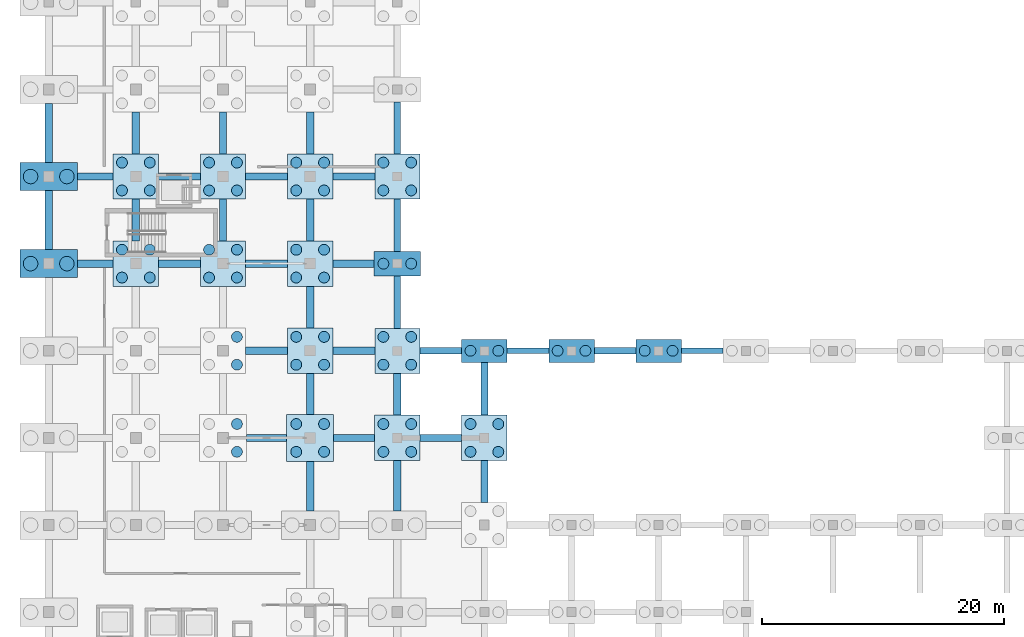
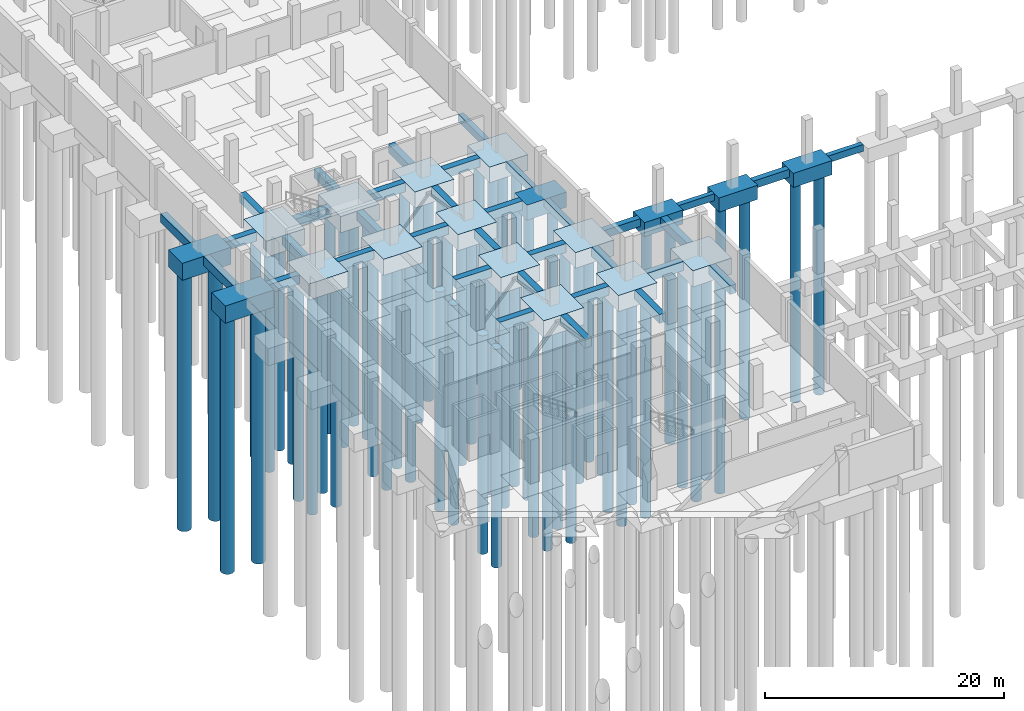
# One storey, part 3 of 36: 64 piles, 53 footings.
"""IFC4 building model written with IfcOpenShell, lengths in metres."""

from ifc_helpers import new_model, si_unit, direction, frame, origin, origin_2d, place, context, subcontext, project, spatial, rectangle, circle, extrude, material, material_profile, profile_set, type_object, element, save


model = new_model("IFC4")

# Units and contexts
model_context = context("Model", 3, precision=1e-05, world=origin(), true_north=direction((0.0, 1.0)))
body_context = subcontext(model_context, "Body", "Model", "MODEL_VIEW")
ifc_project = project(units=[si_unit("LENGTHUNIT", "METRE"), si_unit("AREAUNIT", "SQUARE_METRE"), si_unit("VOLUMEUNIT", "CUBIC_METRE"), si_unit("PLANEANGLEUNIT", "RADIAN"), si_unit("MASSUNIT", "GRAM", prefix="KILO")], contexts=[model_context])

# Site, building, storey
site_placement = place(None, origin())
site = spatial("IfcSite", under=ifc_project, at=site_placement, CompositionType="ELEMENT")
building_placement = place(site_placement, origin())
building = spatial("IfcBuilding", under=site, at=building_placement, Name="Kalmorath City Hall", CompositionType="ELEMENT")
storey_placement = place(building_placement, frame((0.0, 0.0, -4.5)))
storey = spatial("IfcBuildingStorey", under=building, at=storey_placement, Name="B1", CompositionType="ELEMENT", Elevation=-4.5)

# Piles
ifc_material_1 = material(Name="Concrete C40/50", Category="concrete")
ifc_material_profile_1 = material_profile(ifc_material_1, circle(Radius=0.60009765625, at=origin_2d()), Name="PILE-D1200")
ifc_profile_set_1 = profile_set([ifc_material_profile_1], Name="Concrete C40/50")
pile_type_1 = type_object("IfcPileType", Name="Bored concrete pile D1200", PredefinedType="BORED", material=ifc_profile_set_1)
for number, where, z_axis, x_axis, name in (
    (1, (-1.5, 50.39990234375, -1.64990234375), (0.0, 0.0, -1.0), (1.0, 0.0, 0.0), "Bored pile PL-1200 1.8.1"),
    (2, (1.5, 50.39990234375, -1.64990234375), (0.0, 0.0, -1.0), (1.0, 0.0, 0.0), "Bored pile PL-1200 1.8.2"),
    (3, (-1.5, 57.60009765625, -1.64990234375), (0.0, 0.0, -1.0), (1.0, 0.0, 0.0), "Bored pile PL-1200 1.9.1"),
    (4, (1.5, 57.60009765625, -1.64990234375), (0.0, 0.0, -1.0), (1.0, 0.0, 0.0), "Bored pile PL-1200 1.9.2"),
):
    element("IfcPile", number, at=place(storey_placement, frame(where, z_axis=z_axis, x_axis=x_axis)), inside=storey, type_object=pile_type_1, Name=name, PredefinedType="BORED", context=body_context, shape_type="SweptSolid", body=[
        extrude(circle(Radius=0.60009765625, at=origin_2d()), origin(), (0.0, 0.0, 1.0), 26.35009765625),
    ])
ifc_material_2 = material(Name="Concrete C40/50", Category="concrete")
ifc_material_profile_2 = material_profile(ifc_material_2, circle(Radius=0.449951171875, at=origin_2d()), Name="PILE-D900")
ifc_profile_set_2 = profile_set([ifc_material_profile_2], Name="Concrete C40/50")
pile_type_2 = type_object("IfcPileType", Name="Bored concrete pile D900", PredefinedType="BORED", material=ifc_profile_set_2)
for number, where, z_axis, x_axis, name in (
    (5, (6.050048828125, 49.25, -1.550048828125), (0.0, 0.0, -1.0), (1.0, 0.0, 0.0), "Bored pile PL-900 2.8.1"),
    (6, (8.35009765625, 49.25, -1.550048828125), (0.0, 0.0, -1.0), (1.0, 0.0, 0.0), "Bored pile PL-900 2.8.2"),
    (7, (6.050048828125, 51.550048828125, -1.550048828125), (0.0, 0.0, -1.0), (1.0, 0.0, 0.0), "Bored pile PL-900 2.8.3"),
    (8, (8.35009765625, 51.550048828125, -1.550048828125), (0.0, 0.0, -1.0), (1.0, 0.0, 0.0), "Bored pile PL-900 2.8.4"),
    (9, (6.050048828125, 56.449951171875, -1.550048828125), (0.0, 0.0, -1.0), (1.0, 0.0, 0.0), "Bored pile PL-900 2.9.1"),
    (10, (8.35009765625, 56.449951171875, -1.550048828125), (0.0, 0.0, -1.0), (1.0, 0.0, 0.0), "Bored pile PL-900 2.9.2"),
    (11, (6.050048828125, 58.75, -1.550048828125), (0.0, 0.0, -1.0), (1.0, 0.0, 0.0), "Bored pile PL-900 2.9.3"),
    (12, (8.35009765625, 58.75, -1.550048828125), (0.0, 0.0, -1.0), (1.0, 0.0, 0.0), "Bored pile PL-900 2.9.4"),
):
    element("IfcPile", number, at=place(storey_placement, frame(where, z_axis=z_axis, x_axis=x_axis)), inside=storey, type_object=pile_type_2, Name=name, PredefinedType="BORED", context=body_context, shape_type="SweptSolid", body=[
        extrude(circle(Radius=0.449951171875, at=origin_2d()), origin(), (0.0, 0.0, 1.0), 22.449951171875),
    ])
for number, where, z_axis, x_axis, name in (
    (13, (15.550048828125, 34.85009765625, -1.64990234375), (0.0, 0.0, -1.0), (1.0, 0.0, 0.0), "Bored pile PL-900 3.6.2"),
    (14, (15.550048828125, 37.14990234375, -1.64990234375), (0.0, 0.0, -1.0), (1.0, 0.0, 0.0), "Bored pile PL-900 3.6.4"),
):
    element("IfcPile", number, at=place(storey_placement, frame(where, z_axis=z_axis, x_axis=x_axis)), inside=storey, type_object=pile_type_2, Name=name, PredefinedType="BORED", context=body_context, shape_type="SweptSolid", body=[
        extrude(circle(Radius=0.449951171875, at=origin_2d()), origin(), (0.0, 0.0, 1.0), 22.35009765625),
    ])
for number, where, z_axis, x_axis, name in (
    (15, (15.550048828125, 42.050048828125, -1.550048828125), (0.0, 0.0, -1.0), (1.0, 0.0, 0.0), "Bored pile PL-900 3.7.2"),
    (16, (15.550048828125, 44.35009765625, -1.550048828125), (0.0, 0.0, -1.0), (1.0, 0.0, 0.0), "Bored pile PL-900 3.7.4"),
    (17, (13.25, 49.25, -1.550048828125), (0.0, 0.0, -1.0), (1.0, 0.0, 0.0), "Bored pile PL-900 3.8.1"),
    (18, (15.550048828125, 49.25, -1.550048828125), (0.0, 0.0, -1.0), (1.0, 0.0, 0.0), "Bored pile PL-900 3.8.2"),
    (19, (13.25, 51.550048828125, -1.550048828125), (0.0, 0.0, -1.0), (1.0, 0.0, 0.0), "Bored pile PL-900 3.8.3"),
    (20, (15.550048828125, 51.550048828125, -1.550048828125), (0.0, 0.0, -1.0), (1.0, 0.0, 0.0), "Bored pile PL-900 3.8.4"),
    (21, (13.25, 56.449951171875, -1.550048828125), (0.0, 0.0, -1.0), (1.0, 0.0, 0.0), "Bored pile PL-900 3.9.1"),
    (22, (15.550048828125, 56.449951171875, -1.550048828125), (0.0, 0.0, -1.0), (1.0, 0.0, 0.0), "Bored pile PL-900 3.9.2"),
    (23, (13.25, 58.75, -1.550048828125), (0.0, 0.0, -1.0), (1.0, 0.0, 0.0), "Bored pile PL-900 3.9.3"),
    (24, (15.550048828125, 58.75, -1.550048828125), (0.0, 0.0, -1.0), (1.0, 0.0, 0.0), "Bored pile PL-900 3.9.4"),
):
    element("IfcPile", number, at=place(storey_placement, frame(where, z_axis=z_axis, x_axis=x_axis)), inside=storey, type_object=pile_type_2, Name=name, PredefinedType="BORED", context=body_context, shape_type="SweptSolid", body=[
        extrude(circle(Radius=0.449951171875, at=origin_2d()), origin(), (0.0, 0.0, 1.0), 22.449951171875),
    ])
for number, where, z_axis, x_axis, name in (
    (25, (20.449951171875, 34.85009765625, -1.64990234375), (0.0, 0.0, -1.0), (1.0, 0.0, 0.0), "Bored pile PL-900 4.6.1"),
    (26, (22.75, 34.85009765625, -1.64990234375), (0.0, 0.0, -1.0), (1.0, 0.0, 0.0), "Bored pile PL-900 4.6.2"),
    (27, (20.449951171875, 37.14990234375, -1.64990234375), (0.0, 0.0, -1.0), (1.0, 0.0, 0.0), "Bored pile PL-900 4.6.3"),
    (28, (22.75, 37.14990234375, -1.64990234375), (0.0, 0.0, -1.0), (1.0, 0.0, 0.0), "Bored pile PL-900 4.6.4"),
):
    element("IfcPile", number, at=place(storey_placement, frame(where, z_axis=z_axis, x_axis=x_axis)), inside=storey, type_object=pile_type_2, Name=name, PredefinedType="BORED", context=body_context, shape_type="SweptSolid", body=[
        extrude(circle(Radius=0.449951171875, at=origin_2d()), origin(), (0.0, 0.0, 1.0), 22.35009765625),
    ])
for number, where, z_axis, x_axis, name in (
    (29, (20.449951171875, 42.050048828125, -1.550048828125), (0.0, 0.0, -1.0), (1.0, 0.0, 0.0), "Bored pile PL-900 4.7.1"),
    (30, (22.75, 42.050048828125, -1.550048828125), (0.0, 0.0, -1.0), (1.0, 0.0, 0.0), "Bored pile PL-900 4.7.2"),
    (31, (20.449951171875, 44.35009765625, -1.550048828125), (0.0, 0.0, -1.0), (1.0, 0.0, 0.0), "Bored pile PL-900 4.7.3"),
    (32, (22.75, 44.35009765625, -1.550048828125), (0.0, 0.0, -1.0), (1.0, 0.0, 0.0), "Bored pile PL-900 4.7.4"),
    (33, (20.449951171875, 49.25, -1.550048828125), (0.0, 0.0, -1.0), (1.0, 0.0, 0.0), "Bored pile PL-900 4.8.1"),
    (34, (22.75, 49.25, -1.550048828125), (0.0, 0.0, -1.0), (1.0, 0.0, 0.0), "Bored pile PL-900 4.8.2"),
    (35, (20.449951171875, 51.550048828125, -1.550048828125), (0.0, 0.0, -1.0), (1.0, 0.0, 0.0), "Bored pile PL-900 4.8.3"),
    (36, (22.75, 51.550048828125, -1.550048828125), (0.0, 0.0, -1.0), (1.0, 0.0, 0.0), "Bored pile PL-900 4.8.4"),
    (37, (20.449951171875, 56.449951171875, -1.550048828125), (0.0, 0.0, -1.0), (1.0, 0.0, 0.0), "Bored pile PL-900 4.9.1"),
    (38, (22.75, 56.449951171875, -1.550048828125), (0.0, 0.0, -1.0), (1.0, 0.0, 0.0), "Bored pile PL-900 4.9.2"),
    (39, (20.449951171875, 58.75, -1.550048828125), (0.0, 0.0, -1.0), (1.0, 0.0, 0.0), "Bored pile PL-900 4.9.3"),
    (40, (22.75, 58.75, -1.550048828125), (0.0, 0.0, -1.0), (1.0, 0.0, 0.0), "Bored pile PL-900 4.9.4"),
    (41, (27.64990234375, 34.85009765625, -1.550048828125), (0.0, 0.0, -1.0), (1.0, 0.0, 0.0), "Bored pile PL-900 5.6.1"),
    (42, (29.949951171875, 34.85009765625, -1.550048828125), (0.0, 0.0, -1.0), (1.0, 0.0, 0.0), "Bored pile PL-900 5.6.2"),
    (43, (27.64990234375, 37.14990234375, -1.550048828125), (0.0, 0.0, -1.0), (1.0, 0.0, 0.0), "Bored pile PL-900 5.6.3"),
    (44, (29.949951171875, 37.14990234375, -1.550048828125), (0.0, 0.0, -1.0), (1.0, 0.0, 0.0), "Bored pile PL-900 5.6.4"),
):
    element("IfcPile", number, at=place(storey_placement, frame(where, z_axis=z_axis, x_axis=x_axis)), inside=storey, type_object=pile_type_2, Name=name, PredefinedType="BORED", context=body_context, shape_type="SweptSolid", body=[
        extrude(circle(Radius=0.449951171875, at=origin_2d()), origin(), (0.0, 0.0, 1.0), 22.449951171875),
    ])
for number, where, z_axis, x_axis, name in (
    (45, (27.64990234375, 42.050048828125, -1.5), (0.0, 0.0, -1.0), (1.0, 0.0, 0.0), "Bored pile PL-900 5.7.1"),
    (46, (29.949951171875, 42.050048828125, -1.5), (0.0, 0.0, -1.0), (1.0, 0.0, 0.0), "Bored pile PL-900 5.7.2"),
    (47, (27.64990234375, 44.35009765625, -1.5), (0.0, 0.0, -1.0), (1.0, 0.0, 0.0), "Bored pile PL-900 5.7.3"),
    (48, (29.949951171875, 44.35009765625, -1.5), (0.0, 0.0, -1.0), (1.0, 0.0, 0.0), "Bored pile PL-900 5.7.4"),
):
    element("IfcPile", number, at=place(storey_placement, frame(where, z_axis=z_axis, x_axis=x_axis)), inside=storey, type_object=pile_type_2, Name=name, PredefinedType="BORED", context=body_context, shape_type="SweptSolid", body=[
        extrude(circle(Radius=0.449951171875, at=origin_2d()), origin(), (0.0, 0.0, 1.0), 22.5),
    ])
for number, where, z_axis, x_axis, name in (
    (49, (27.64990234375, 50.39990234375, -1.449951171875), (0.0, 0.0, -1.0), (1.0, 0.0, 0.0), "Bored pile PL-900 5.8.1"),
    (50, (29.949951171875, 50.39990234375, -1.449951171875), (0.0, 0.0, -1.0), (1.0, 0.0, 0.0), "Bored pile PL-900 5.8.2"),
):
    element("IfcPile", number, at=place(storey_placement, frame(where, z_axis=z_axis, x_axis=x_axis)), inside=storey, type_object=pile_type_2, Name=name, PredefinedType="BORED", context=body_context, shape_type="SweptSolid", body=[
        extrude(circle(Radius=0.449951171875, at=origin_2d()), origin(), (0.0, 0.0, 1.0), 22.550048828125),
    ])
for number, where, z_axis, x_axis, name in (
    (51, (27.64990234375, 56.449951171875, -1.5), (0.0, 0.0, -1.0), (1.0, 0.0, 0.0), "Bored pile PL-900 5.9.1"),
    (52, (29.949951171875, 56.449951171875, -1.5), (0.0, 0.0, -1.0), (1.0, 0.0, 0.0), "Bored pile PL-900 5.9.2"),
    (53, (27.64990234375, 58.75, -1.5), (0.0, 0.0, -1.0), (1.0, 0.0, 0.0), "Bored pile PL-900 5.9.3"),
    (54, (29.949951171875, 58.75, -1.5), (0.0, 0.0, -1.0), (1.0, 0.0, 0.0), "Bored pile PL-900 5.9.4"),
):
    element("IfcPile", number, at=place(storey_placement, frame(where, z_axis=z_axis, x_axis=x_axis)), inside=storey, type_object=pile_type_2, Name=name, PredefinedType="BORED", context=body_context, shape_type="SweptSolid", body=[
        extrude(circle(Radius=0.449951171875, at=origin_2d()), origin(), (0.0, 0.0, 1.0), 22.5),
    ])
for number, where, z_axis, x_axis, name in (
    (55, (34.85009765625, 34.85009765625, -1.550048828125), (0.0, 0.0, -1.0), (1.0, 0.0, 0.0), "Bored pile PL-900 6.6.1"),
    (56, (37.14990234375, 34.85009765625, -1.550048828125), (0.0, 0.0, -1.0), (1.0, 0.0, 0.0), "Bored pile PL-900 6.6.2"),
    (57, (34.85009765625, 37.14990234375, -1.550048828125), (0.0, 0.0, -1.0), (1.0, 0.0, 0.0), "Bored pile PL-900 6.6.3"),
    (58, (37.14990234375, 37.14990234375, -1.550048828125), (0.0, 0.0, -1.0), (1.0, 0.0, 0.0), "Bored pile PL-900 6.6.4"),
):
    element("IfcPile", number, at=place(storey_placement, frame(where, z_axis=z_axis, x_axis=x_axis)), inside=storey, type_object=pile_type_2, Name=name, PredefinedType="BORED", context=body_context, shape_type="SweptSolid", body=[
        extrude(circle(Radius=0.449951171875, at=origin_2d()), origin(), (0.0, 0.0, 1.0), 22.449951171875),
    ])
for number, where, z_axis, x_axis, name in (
    (59, (34.85009765625, 43.199951171875, -1.35009765625), (0.0, 0.0, -1.0), (1.0, 0.0, 0.0), "Bored pile PL-900 6.7.1"),
    (60, (37.14990234375, 43.199951171875, -1.35009765625), (0.0, 0.0, -1.0), (1.0, 0.0, 0.0), "Bored pile PL-900 6.7.2"),
    (61, (42.050048828125, 43.199951171875, -1.35009765625), (0.0, 0.0, -1.0), (1.0, 0.0, 0.0), "Bored pile PL-900 7.7.1"),
    (62, (44.35009765625, 43.199951171875, -1.35009765625), (0.0, 0.0, -1.0), (1.0, 0.0, 0.0), "Bored pile PL-900 7.7.2"),
    (63, (49.25, 43.199951171875, -1.35009765625), (0.0, 0.0, -1.0), (1.0, 0.0, 0.0), "Bored pile PL-900 8.7.1"),
    (64, (51.550048828125, 43.199951171875, -1.35009765625), (0.0, 0.0, -1.0), (1.0, 0.0, 0.0), "Bored pile PL-900 8.7.2"),
):
    element("IfcPile", number, at=place(storey_placement, frame(where, z_axis=z_axis, x_axis=x_axis)), inside=storey, type_object=pile_type_2, Name=name, PredefinedType="BORED", context=body_context, shape_type="SweptSolid", body=[
        extrude(circle(Radius=0.449951171875, at=origin_2d()), origin(), (0.0, 0.0, 1.0), 22.64990234375),
    ])

# Footings
ifc_material_3 = material(Name="Concrete C40/50", Category="concrete")
ifc_material_profile_3 = material_profile(ifc_material_3, rectangle(XDim=0.449951171875, YDim=0.699951171875, at=origin_2d()), Name="RC-BM-450X700")
ifc_profile_set_3 = profile_set([ifc_material_profile_3], Name="Concrete C40/50")
footing_type_1 = type_object("IfcFootingType", Name="Concrete ground tie beam 450x700", PredefinedType="FOOTING_BEAM", material=ifc_profile_set_3)
footing_1_placement = place(storey_placement, frame((37.8798828125, 43.199951171875, -0.35009765625), z_axis=(1.0, 0.0, 0.0), x_axis=(0.0, 1.0, 0.0)))
element("IfcFooting", 65, at=footing_1_placement, inside=storey, type_object=footing_type_1, Name="Ground tie beam GB4 X6-7", PredefinedType="FOOTING_BEAM", context=body_context, shape_type="SweptSolid", body=[
    extrude(rectangle(XDim=0.449951171875, YDim=0.699951171875, at=origin_2d()), origin(), (0.0, 0.0, 1.0), 3.440185546875),
])
footing_2_placement = place(storey_placement, frame((52.280029296875, 43.199951171875, -0.35009765625), z_axis=(1.0, 0.0, 0.0), x_axis=(0.0, 1.0, 0.0)))
element("IfcFooting", 66, at=footing_2_placement, inside=storey, type_object=footing_type_1, Name="Ground tie beam GB4 X8-7", PredefinedType="FOOTING_BEAM", context=body_context, shape_type="SweptSolid", body=[
    extrude(rectangle(XDim=0.449951171875, YDim=0.699951171875, at=origin_2d()), origin(), (0.0, 0.0, 1.0), 3.43994140625),
])
ifc_material_4 = material(Name="Concrete C40/50", Category="concrete")
ifc_material_profile_4 = material_profile(ifc_material_4, rectangle(XDim=0.5, YDim=0.75, at=origin_2d()), Name="RC-BM-500X750")
ifc_profile_set_4 = profile_set([ifc_material_profile_4], Name="Concrete C40/50")
footing_type_2 = type_object("IfcFootingType", Name="Concrete ground tie beam 500x750", PredefinedType="FOOTING_BEAM", material=ifc_profile_set_4)
for number, where, z_axis, x_axis, name in (
    (67, (28.800048828125, 45.06005859375, -0.375), (0.0, 1.0, 0.0), (-1.0, 0.0, 0.0), "Ground tie beam GB3 Y5-7"),
    (68, (28.800048828125, 51.425048828125, -0.375), (0.0, 1.0, 0.0), (-1.0, 0.0, 0.0), "Ground tie beam GB3 Y5-8"),
    (69, (28.800048828125, 59.4599609375, -0.375), (0.0, 1.0, 0.0), (-1.0, 0.0, 0.0), "Ground tie beam GB3 Y5-9"),
):
    element("IfcFooting", number, at=place(storey_placement, frame(where, z_axis=z_axis, x_axis=x_axis)), inside=storey, type_object=footing_type_2, Name=name, PredefinedType="FOOTING_BEAM", context=body_context, shape_type="SweptSolid", body=[
        extrude(rectangle(XDim=0.5, YDim=0.75, at=origin_2d()), origin(), (0.0, 0.0, 1.0), 4.31494140625),
    ])
ifc_material_5 = material(Name="Concrete C40/50", Category="concrete")
ifc_material_profile_5 = material_profile(ifc_material_5, rectangle(XDim=0.550048828125, YDim=0.800048828125, at=origin_2d()), Name="RC-BM-550X800")
ifc_profile_set_5 = profile_set([ifc_material_profile_5], Name="Concrete C40/50")
footing_type_3 = type_object("IfcFootingType", Name="Concrete ground tie beam 550x800", PredefinedType="FOOTING_BEAM", material=ifc_profile_set_5)
footing_3_placement = place(storey_placement, frame((30.659912109375, 43.199951171875, -0.39990234375), z_axis=(1.0, 0.0, 0.0), x_axis=(0.0, 1.0, 0.0)))
element("IfcFooting", 70, at=footing_3_placement, inside=storey, type_object=footing_type_3, Name="Ground tie beam GB2 X5-7", PredefinedType="FOOTING_BEAM", context=body_context, shape_type="SweptSolid", body=[
    extrude(rectangle(XDim=0.550048828125, YDim=0.800048828125, at=origin_2d()), origin(), (0.0, 0.0, 1.0), 3.460205078125),
])
footing_4_placement = place(storey_placement, frame((45.080078125, 43.199951171875, -0.39990234375), z_axis=(1.0, 0.0, 0.0), x_axis=(0.0, 1.0, 0.0)))
element("IfcFooting", 71, at=footing_4_placement, inside=storey, type_object=footing_type_3, Name="Ground tie beam GB2 X7-7", PredefinedType="FOOTING_BEAM", context=body_context, shape_type="SweptSolid", body=[
    extrude(rectangle(XDim=0.550048828125, YDim=0.800048828125, at=origin_2d()), origin(), (0.0, 0.0, 1.0), 3.43994140625),
])
ifc_material_6 = material(Name="Concrete C40/50", Category="concrete")
ifc_material_profile_6 = material_profile(ifc_material_6, rectangle(XDim=0.60009765625, YDim=0.89990234375, at=origin_2d()), Name="RC-BM-600X900")
ifc_profile_set_6 = profile_set([ifc_material_profile_6], Name="Concrete C40/50")
footing_type_4 = type_object("IfcFootingType", Name="Concrete ground tie beam 600x900", PredefinedType="FOOTING_BEAM", material=ifc_profile_set_6)
footing_5_placement = place(storey_placement, frame((2.360107421875, 50.39990234375, -0.449951171875), z_axis=(1.0, 0.0, 0.0), x_axis=(0.0, 1.0, 0.0)))
element("IfcFooting", 72, at=footing_5_placement, inside=storey, type_object=footing_type_4, Name="Ground tie beam GB1 X1-8", PredefinedType="FOOTING_BEAM", context=body_context, shape_type="SweptSolid", body=[
    extrude(rectangle(XDim=0.60009765625, YDim=0.89990234375, at=origin_2d()), origin(), (0.0, 0.0, 1.0), 2.96484375),
])
footing_6_placement = place(storey_placement, frame((0.0, 51.550048828125, -0.449951171875), z_axis=(0.0, 1.0, 0.0), x_axis=(-1.0, 0.0, 0.0)))
element("IfcFooting", 73, at=footing_6_placement, inside=storey, type_object=footing_type_4, Name="Ground tie beam GB1 Y1-8", PredefinedType="FOOTING_BEAM", context=body_context, shape_type="SweptSolid", body=[
    extrude(rectangle(XDim=0.60009765625, YDim=0.89990234375, at=origin_2d()), origin(), (0.0, 0.0, 1.0), 4.89990234375),
])
footing_7_placement = place(storey_placement, frame((2.360107421875, 57.60009765625, -0.449951171875), z_axis=(1.0, 0.0, 0.0), x_axis=(0.0, 1.0, 0.0)))
element("IfcFooting", 74, at=footing_7_placement, inside=storey, type_object=footing_type_4, Name="Ground tie beam GB1 X1-9", PredefinedType="FOOTING_BEAM", context=body_context, shape_type="SweptSolid", body=[
    extrude(rectangle(XDim=0.60009765625, YDim=0.89990234375, at=origin_2d()), origin(), (0.0, 0.0, 1.0), 2.96484375),
])
footing_8_placement = place(storey_placement, frame((0.0, 58.75, -0.449951171875), z_axis=(0.0, 1.0, 0.0), x_axis=(-1.0, 0.0, 0.0)))
element("IfcFooting", 75, at=footing_8_placement, inside=storey, type_object=footing_type_4, Name="Ground tie beam GB1 Y1-9", PredefinedType="FOOTING_BEAM", context=body_context, shape_type="SweptSolid", body=[
    extrude(rectangle(XDim=0.60009765625, YDim=0.89990234375, at=origin_2d()), origin(), (0.0, 0.0, 1.0), 4.89990234375),
])
footing_9_placement = place(storey_placement, frame((9.074951171875, 50.39990234375, -0.449951171875), z_axis=(1.0, 0.0, 0.0), x_axis=(0.0, 1.0, 0.0)))
element("IfcFooting", 76, at=footing_9_placement, inside=storey, type_object=footing_type_4, Name="Ground tie beam GB1 X2-8", PredefinedType="FOOTING_BEAM", context=body_context, shape_type="SweptSolid", body=[
    extrude(rectangle(XDim=0.60009765625, YDim=0.89990234375, at=origin_2d()), origin(), (0.0, 0.0, 1.0), 3.449951171875),
])
footing_10_placement = place(storey_placement, frame((7.199951171875, 52.27490234375, -0.449951171875), z_axis=(0.0, 1.0, 0.0), x_axis=(-1.0, 0.0, 0.0)))
element("IfcFooting", 77, at=footing_10_placement, inside=storey, type_object=footing_type_4, Name="Ground tie beam GB1 Y2-8", PredefinedType="FOOTING_BEAM", context=body_context, shape_type="SweptSolid", body=[
    extrude(rectangle(XDim=0.60009765625, YDim=0.89990234375, at=origin_2d()), origin(), (0.0, 0.0, 1.0), 3.4501953125),
])
for number, where, z_axis, x_axis, name in (
    (78, (9.074951171875, 57.60009765625, -0.449951171875), (1.0, 0.0, 0.0), (0.0, 1.0, 0.0), "Ground tie beam GB1 X2-9"),
    (79, (7.199951171875, 59.47509765625, -0.449951171875), (0.0, 1.0, 0.0), (-1.0, 0.0, 0.0), "Ground tie beam GB1 Y2-9"),
):
    element("IfcFooting", number, at=place(storey_placement, frame(where, z_axis=z_axis, x_axis=x_axis)), inside=storey, type_object=footing_type_4, Name=name, PredefinedType="FOOTING_BEAM", context=body_context, shape_type="SweptSolid", body=[
        extrude(rectangle(XDim=0.60009765625, YDim=0.89990234375, at=origin_2d()), origin(), (0.0, 0.0, 1.0), 3.449951171875),
    ])
footing_11_placement = place(storey_placement, frame((16.35009765625, 36.0, -0.449951171875), z_axis=(1.0, 0.0, 0.0), x_axis=(0.0, 1.0, 0.0)))
element("IfcFooting", 80, at=footing_11_placement, inside=storey, type_object=footing_type_4, Name="Ground tie beam GB1 X3-6", PredefinedType="FOOTING_BEAM", context=body_context, shape_type="SweptSolid", body=[
    extrude(rectangle(XDim=0.60009765625, YDim=0.89990234375, at=origin_2d()), origin(), (0.0, 0.0, 1.0), 3.2998046875),
])
for number, where, z_axis, x_axis, name in (
    (81, (16.27490234375, 43.199951171875, -0.449951171875), (1.0, 0.0, 0.0), (0.0, 1.0, 0.0), "Ground tie beam GB1 X3-7"),
    (82, (16.27490234375, 50.39990234375, -0.449951171875), (1.0, 0.0, 0.0), (0.0, 1.0, 0.0), "Ground tie beam GB1 X3-8"),
    (83, (14.39990234375, 52.27490234375, -0.449951171875), (0.0, 1.0, 0.0), (-1.0, 0.0, 0.0), "Ground tie beam GB1 Y3-8"),
    (84, (16.27490234375, 57.60009765625, -0.449951171875), (1.0, 0.0, 0.0), (0.0, 1.0, 0.0), "Ground tie beam GB1 X3-9"),
):
    element("IfcFooting", number, at=place(storey_placement, frame(where, z_axis=z_axis, x_axis=x_axis)), inside=storey, type_object=footing_type_4, Name=name, PredefinedType="FOOTING_BEAM", context=body_context, shape_type="SweptSolid", body=[
        extrude(rectangle(XDim=0.60009765625, YDim=0.89990234375, at=origin_2d()), origin(), (0.0, 0.0, 1.0), 3.4501953125),
    ])
footing_12_placement = place(storey_placement, frame((14.39990234375, 59.47509765625, -0.449951171875), z_axis=(0.0, 1.0, 0.0), x_axis=(-1.0, 0.0, 0.0)))
element("IfcFooting", 85, at=footing_12_placement, inside=storey, type_object=footing_type_4, Name="Ground tie beam GB1 Y3-9", PredefinedType="FOOTING_BEAM", context=body_context, shape_type="SweptSolid", body=[
    extrude(rectangle(XDim=0.60009765625, YDim=0.89990234375, at=origin_2d()), origin(), (0.0, 0.0, 1.0), 3.449951171875),
])
footing_13_placement = place(storey_placement, frame((21.60009765625, 29.97509765625, -0.449951171875), z_axis=(0.0, 1.0, 0.0), x_axis=(-1.0, 0.0, 0.0)))
element("IfcFooting", 86, at=footing_13_placement, inside=storey, type_object=footing_type_4, Name="Ground tie beam GB1 Y4-5", PredefinedType="FOOTING_BEAM", context=body_context, shape_type="SweptSolid", body=[
    extrude(rectangle(XDim=0.60009765625, YDim=0.89990234375, at=origin_2d()), origin(), (0.0, 0.0, 1.0), 4.074951171875),
])
for number, where, z_axis, x_axis, name in (
    (87, (23.550048828125, 36.0, -0.449951171875), (1.0, 0.0, 0.0), (0.0, 1.0, 0.0), "Ground tie beam GB1 X4-6"),
    (88, (21.60009765625, 37.949951171875, -0.449951171875), (0.0, 1.0, 0.0), (-1.0, 0.0, 0.0), "Ground tie beam GB1 Y4-6"),
):
    element("IfcFooting", number, at=place(storey_placement, frame(where, z_axis=z_axis, x_axis=x_axis)), inside=storey, type_object=footing_type_4, Name=name, PredefinedType="FOOTING_BEAM", context=body_context, shape_type="SweptSolid", body=[
        extrude(rectangle(XDim=0.60009765625, YDim=0.89990234375, at=origin_2d()), origin(), (0.0, 0.0, 1.0), 3.375),
    ])
footing_14_placement = place(storey_placement, frame((23.47509765625, 43.199951171875, -0.449951171875), z_axis=(1.0, 0.0, 0.0), x_axis=(0.0, 1.0, 0.0)))
element("IfcFooting", 89, at=footing_14_placement, inside=storey, type_object=footing_type_4, Name="Ground tie beam GB1 X4-7", PredefinedType="FOOTING_BEAM", context=body_context, shape_type="SweptSolid", body=[
    extrude(rectangle(XDim=0.60009765625, YDim=0.89990234375, at=origin_2d()), origin(), (0.0, 0.0, 1.0), 3.46484375),
])
footing_15_placement = place(storey_placement, frame((21.60009765625, 45.074951171875, -0.449951171875), z_axis=(0.0, 1.0, 0.0), x_axis=(-1.0, 0.0, 0.0)))
element("IfcFooting", 90, at=footing_15_placement, inside=storey, type_object=footing_type_4, Name="Ground tie beam GB1 Y4-7", PredefinedType="FOOTING_BEAM", context=body_context, shape_type="SweptSolid", body=[
    extrude(rectangle(XDim=0.60009765625, YDim=0.89990234375, at=origin_2d()), origin(), (0.0, 0.0, 1.0), 3.449951171875),
])
footing_16_placement = place(storey_placement, frame((23.47509765625, 50.39990234375, -0.449951171875), z_axis=(1.0, 0.0, 0.0), x_axis=(0.0, 1.0, 0.0)))
element("IfcFooting", 91, at=footing_16_placement, inside=storey, type_object=footing_type_4, Name="Ground tie beam GB1 X4-8", PredefinedType="FOOTING_BEAM", context=body_context, shape_type="SweptSolid", body=[
    extrude(rectangle(XDim=0.60009765625, YDim=0.89990234375, at=origin_2d()), origin(), (0.0, 0.0, 1.0), 3.39990234375),
])
footing_17_placement = place(storey_placement, frame((21.60009765625, 52.27490234375, -0.449951171875), z_axis=(0.0, 1.0, 0.0), x_axis=(-1.0, 0.0, 0.0)))
element("IfcFooting", 92, at=footing_17_placement, inside=storey, type_object=footing_type_4, Name="Ground tie beam GB1 Y4-8", PredefinedType="FOOTING_BEAM", context=body_context, shape_type="SweptSolid", body=[
    extrude(rectangle(XDim=0.60009765625, YDim=0.89990234375, at=origin_2d()), origin(), (0.0, 0.0, 1.0), 3.4501953125),
])
footing_18_placement = place(storey_placement, frame((23.47509765625, 57.60009765625, -0.449951171875), z_axis=(1.0, 0.0, 0.0), x_axis=(0.0, 1.0, 0.0)))
element("IfcFooting", 93, at=footing_18_placement, inside=storey, type_object=footing_type_4, Name="Ground tie beam GB1 X4-9", PredefinedType="FOOTING_BEAM", context=body_context, shape_type="SweptSolid", body=[
    extrude(rectangle(XDim=0.60009765625, YDim=0.89990234375, at=origin_2d()), origin(), (0.0, 0.0, 1.0), 3.46484375),
])
footing_19_placement = place(storey_placement, frame((21.60009765625, 59.47509765625, -0.449951171875), z_axis=(0.0, 1.0, 0.0), x_axis=(-1.0, 0.0, 0.0)))
element("IfcFooting", 94, at=footing_19_placement, inside=storey, type_object=footing_type_4, Name="Ground tie beam GB1 Y4-9", PredefinedType="FOOTING_BEAM", context=body_context, shape_type="SweptSolid", body=[
    extrude(rectangle(XDim=0.60009765625, YDim=0.89990234375, at=origin_2d()), origin(), (0.0, 0.0, 1.0), 3.449951171875),
])
footing_20_placement = place(storey_placement, frame((28.800048828125, 29.97509765625, -0.449951171875), z_axis=(0.0, 1.0, 0.0), x_axis=(-1.0, 0.0, 0.0)))
element("IfcFooting", 95, at=footing_20_placement, inside=storey, type_object=footing_type_4, Name="Ground tie beam GB1 Y5-5", PredefinedType="FOOTING_BEAM", context=body_context, shape_type="SweptSolid", body=[
    extrude(rectangle(XDim=0.60009765625, YDim=0.89990234375, at=origin_2d()), origin(), (0.0, 0.0, 1.0), 4.14990234375),
])
footing_21_placement = place(storey_placement, frame((30.675048828125, 36.0, -0.449951171875), z_axis=(1.0, 0.0, 0.0), x_axis=(0.0, 1.0, 0.0)))
element("IfcFooting", 96, at=footing_21_placement, inside=storey, type_object=footing_type_4, Name="Ground tie beam GB1 X5-6", PredefinedType="FOOTING_BEAM", context=body_context, shape_type="SweptSolid", body=[
    extrude(rectangle(XDim=0.60009765625, YDim=0.89990234375, at=origin_2d()), origin(), (0.0, 0.0, 1.0), 3.449951171875),
])
footing_22_placement = place(storey_placement, frame((28.800048828125, 37.875, -0.449951171875), z_axis=(0.0, 1.0, 0.0), x_axis=(-1.0, 0.0, 0.0)))
element("IfcFooting", 97, at=footing_22_placement, inside=storey, type_object=footing_type_4, Name="Ground tie beam GB1 Y5-6", PredefinedType="FOOTING_BEAM", context=body_context, shape_type="SweptSolid", body=[
    extrude(rectangle(XDim=0.60009765625, YDim=0.89990234375, at=origin_2d()), origin(), (0.0, 0.0, 1.0), 3.465087890625),
])
footing_23_placement = place(storey_placement, frame((36.0, 30.675048828125, -0.449951171875), z_axis=(0.0, 1.0, 0.0), x_axis=(-1.0, 0.0, 0.0)))
element("IfcFooting", 98, at=footing_23_placement, inside=storey, type_object=footing_type_4, Name="Ground tie beam GB1 Y6-5", PredefinedType="FOOTING_BEAM", context=body_context, shape_type="SweptSolid", body=[
    extrude(rectangle(XDim=0.60009765625, YDim=0.89990234375, at=origin_2d()), origin(), (0.0, 0.0, 1.0), 3.449951171875),
])
footing_24_placement = place(storey_placement, frame((36.0, 37.875, -0.449951171875), z_axis=(0.0, 1.0, 0.0), x_axis=(-1.0, 0.0, 0.0)))
element("IfcFooting", 99, at=footing_24_placement, inside=storey, type_object=footing_type_4, Name="Ground tie beam GB1 Y6-6", PredefinedType="FOOTING_BEAM", context=body_context, shape_type="SweptSolid", body=[
    extrude(rectangle(XDim=0.60009765625, YDim=0.89990234375, at=origin_2d()), origin(), (0.0, 0.0, 1.0), 4.375),
])
ifc_material_7 = material(Name="Concrete C40/50", Category="concrete")
footing_type_5 = type_object("IfcFootingType", Name="Four-pile concrete cap 3720x3720x1600", PredefinedType="PILE_CAP", material=ifc_material_7)
for number, where, z_axis, x_axis, name in (
    (100, (28.800048828125, 43.199951171875, -1.60009765625), (0.0, 0.0, 1.0), (1.0, 0.0, 0.0), "Footing PC3 (5/7)"),
    (101, (28.800048828125, 57.60009765625, -1.60009765625), (0.0, 0.0, 1.0), (1.0, 0.0, 0.0), "Footing PC3 (5/9)"),
):
    element("IfcFooting", number, at=place(storey_placement, frame(where, z_axis=z_axis, x_axis=x_axis)), inside=storey, type_object=footing_type_5, Name=name, PredefinedType="PILE_CAP", context=body_context, shape_type="SweptSolid", body=[
        extrude(rectangle(XDim=3.719970703125, YDim=3.719970703125, at=origin_2d()), origin(), (0.0, 0.0, 1.0), 1.60009765625),
    ])
ifc_material_8 = material(Name="Concrete C40/50", Category="concrete")
footing_type_6 = type_object("IfcFootingType", Name="Four-pile concrete cap 3750x3750x1650", PredefinedType="PILE_CAP", material=ifc_material_8)
for number, where, z_axis, x_axis, name in (
    (102, (7.199951171875, 50.39990234375, -1.64990234375), (0.0, 0.0, 1.0), (1.0, 0.0, 0.0), "Footing PC2 (2/8)"),
    (103, (7.199951171875, 57.60009765625, -1.64990234375), (0.0, 0.0, 1.0), (1.0, 0.0, 0.0), "Footing PC2 (2/9)"),
    (104, (14.39990234375, 50.39990234375, -1.64990234375), (0.0, 0.0, 1.0), (1.0, 0.0, 0.0), "Footing PC2 (3/8)"),
    (105, (14.39990234375, 57.60009765625, -1.64990234375), (0.0, 0.0, 1.0), (1.0, 0.0, 0.0), "Footing PC2 (3/9)"),
    (106, (21.60009765625, 43.199951171875, -1.64990234375), (0.0, 0.0, 1.0), (1.0, 0.0, 0.0), "Footing PC2 (4/7)"),
    (107, (21.60009765625, 50.39990234375, -1.64990234375), (0.0, 0.0, 1.0), (1.0, 0.0, 0.0), "Footing PC2 (4/8)"),
    (108, (21.60009765625, 57.60009765625, -1.64990234375), (0.0, 0.0, 1.0), (1.0, 0.0, 0.0), "Footing PC2 (4/9)"),
    (109, (28.800048828125, 36.0, -1.64990234375), (0.0, 0.0, 1.0), (1.0, 0.0, 0.0), "Footing PC2 (5/6)"),
    (110, (36.0, 36.0, -1.64990234375), (0.0, 0.0, 1.0), (1.0, 0.0, 0.0), "Footing PC2 (6/6)"),
):
    element("IfcFooting", number, at=place(storey_placement, frame(where, z_axis=z_axis, x_axis=x_axis)), inside=storey, type_object=footing_type_6, Name=name, PredefinedType="PILE_CAP", context=body_context, shape_type="SweptSolid", body=[
        extrude(rectangle(XDim=3.75, YDim=3.75, at=origin_2d()), origin(), (0.0, 0.0, 1.0), 1.64990234375),
    ])
ifc_material_9 = material(Name="Concrete C40/50", Category="concrete")
footing_type_7 = type_object("IfcFootingType", Name="Four-pile concrete cap 3900x3900x1750", PredefinedType="PILE_CAP", material=ifc_material_9)
footing_25_placement = place(storey_placement, frame((21.60009765625, 36.0, -1.75), z_axis=(0.0, 0.0, 1.0), x_axis=(1.0, 0.0, 0.0)))
element("IfcFooting", 111, at=footing_25_placement, inside=storey, type_object=footing_type_7, Name="Footing PC1 (4/6)", PredefinedType="PILE_CAP", context=body_context, shape_type="SweptSolid", body=[
    extrude(rectangle(XDim=3.89990234375, YDim=3.89990234375, at=origin_2d()), origin(), (0.0, 0.0, 1.0), 1.75),
])
ifc_material_10 = material(Name="Concrete C40/50", Category="concrete")
footing_type_8 = type_object("IfcFootingType", Name="Two-pile concrete cap 3760x1900x1450", PredefinedType="PILE_CAP", material=ifc_material_10)
for number, where, z_axis, x_axis, name in (
    (112, (36.0, 43.199951171875, -1.4501953125), (0.0, 0.0, 1.0), (1.0, 0.0, 0.0), "Footing PC8 (6/7)"),
    (113, (43.199951171875, 43.199951171875, -1.4501953125), (0.0, 0.0, 1.0), (1.0, 0.0, 0.0), "Footing PC8 (7/7)"),
    (114, (50.39990234375, 43.199951171875, -1.4501953125), (0.0, 0.0, 1.0), (1.0, 0.0, 0.0), "Footing PC8 (8/7)"),
):
    element("IfcFooting", number, at=place(storey_placement, frame(where, z_axis=z_axis, x_axis=x_axis)), inside=storey, type_object=footing_type_8, Name=name, PredefinedType="PILE_CAP", context=body_context, shape_type="SweptSolid", body=[
        extrude(rectangle(XDim=3.760009765625, YDim=1.89990234375, at=origin_2d()), origin(), (0.0, 0.0, 1.0), 1.449951171875),
    ])
ifc_material_11 = material(Name="Concrete C40/50", Category="concrete")
footing_type_9 = type_object("IfcFootingType", Name="Two-pile concrete cap 3850x2050x1550", PredefinedType="PILE_CAP", material=ifc_material_11)
footing_26_placement = place(storey_placement, frame((28.800048828125, 50.39990234375, -1.5498046875), z_axis=(0.0, 0.0, 1.0), x_axis=(1.0, 0.0, 0.0)))
element("IfcFooting", 115, at=footing_26_placement, inside=storey, type_object=footing_type_9, Name="Footing PC6 (5/8)", PredefinedType="PILE_CAP", context=body_context, shape_type="SweptSolid", body=[
    extrude(rectangle(XDim=3.85009765625, YDim=2.050048828125, at=origin_2d()), origin(), (0.0, 0.0, 1.0), 1.550048828125),
])
ifc_material_12 = material(Name="Concrete C40/50", Category="concrete")
footing_type_10 = type_object("IfcFootingType", Name="Two-pile heavy concrete cap 4720x2300x1750", PredefinedType="PILE_CAP", material=ifc_material_12)
for number, where, z_axis, x_axis, name in (
    (116, (0.0, 50.39990234375, -1.75), (0.0, 0.0, 1.0), (1.0, 0.0, 0.0), "Footing PC5 (1/8)"),
    (117, (0.0, 57.60009765625, -1.75), (0.0, 0.0, 1.0), (1.0, 0.0, 0.0), "Footing PC5 (1/9)"),
):
    element("IfcFooting", number, at=place(storey_placement, frame(where, z_axis=z_axis, x_axis=x_axis)), inside=storey, type_object=footing_type_10, Name=name, PredefinedType="PILE_CAP", context=body_context, shape_type="SweptSolid", body=[
        extrude(rectangle(XDim=4.719970703125, YDim=2.300048828125, at=origin_2d()), origin(), (0.0, 0.0, 1.0), 1.75),
    ])

save(model, "model.ifc")
